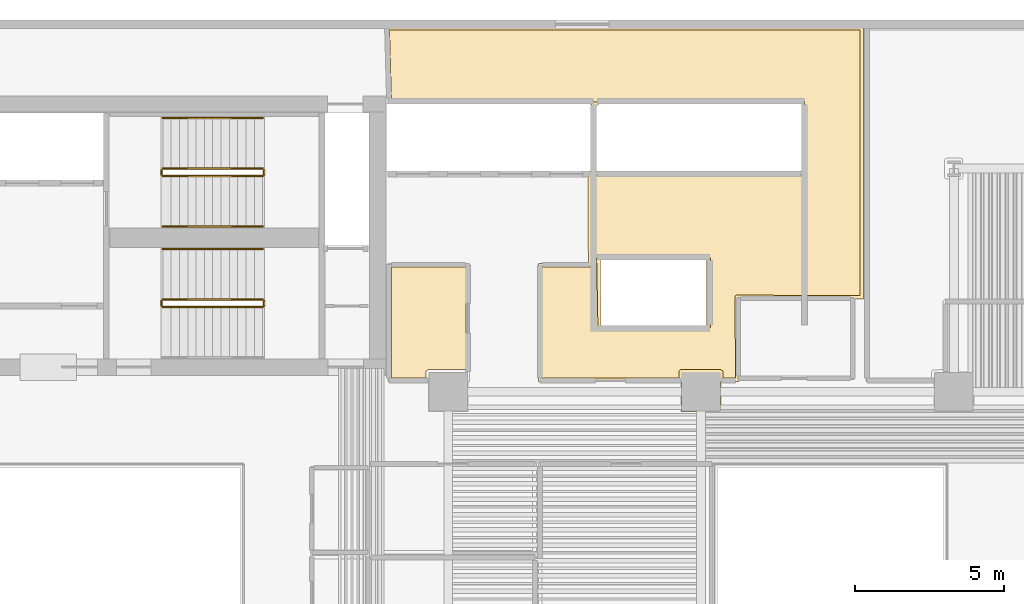
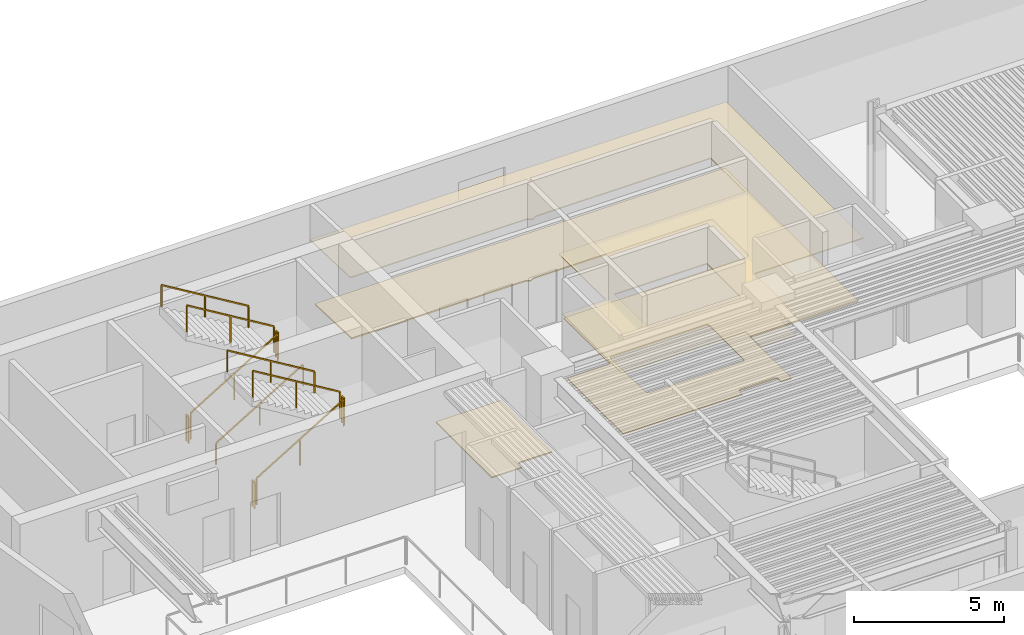
# One storey, part 11 of 12: 11 railings, 3 coverings.
"""IFC4 building model written with IfcOpenShell, lengths in metres."""

from ifc_helpers import new_model, si_unit, direction, frame, origin, origin_2d, place, context, subcontext, project, spatial, polyline, rectangle, outline, extrude, material, layer, layer_set, type_object, element, save


model = new_model("IFC4")

# Units and contexts
model_context = context("Model", 3, precision=1e-05, world=origin(), true_north=direction((0.0, 1.0)))
body_context = subcontext(model_context, "Body", "Model", "MODEL_VIEW")
ifc_project = project(units=[si_unit("LENGTHUNIT", "METRE"), si_unit("AREAUNIT", "SQUARE_METRE"), si_unit("VOLUMEUNIT", "CUBIC_METRE"), si_unit("PLANEANGLEUNIT", "RADIAN"), si_unit("MASSUNIT", "GRAM", prefix="KILO")], contexts=[model_context])

# Site, building, storey
site_placement = place(None, origin())
site = spatial("IfcSite", under=ifc_project, at=site_placement, CompositionType="ELEMENT")
building_placement = place(site_placement, origin())
building = spatial("IfcBuilding", under=site, at=building_placement, Name="Caeloran Harvest Quay", CompositionType="ELEMENT")
storey_placement = place(building_placement, frame((0.0, 0.0, 88.60009765625)))
storey = spatial("IfcBuildingStorey", under=building, at=storey_placement, Name="L20", CompositionType="ELEMENT", Elevation=88.60009765625)

# Coverings
ifc_material_1 = material(Name="Perforated Mineral-Fibre Acoustic Ceiling Tile", Category="ceiling")
ifc_layer_1 = layer(ifc_material_1, 0.0400390625, Name="Perforated Mineral-Fibre Acoustic Ceiling Tile")
ifc_layer_set_1 = layer_set([ifc_layer_1], Name="Perforated Mineral-Fibre Acoustic Ceiling Tile")
covering_type_1 = type_object("IfcCoveringType", Name="COV-CEILING-ACOUSTIC", PredefinedType="CEILING", material=ifc_layer_set_1)
covering_1_placement = place(storey_placement, frame((0.0, 0.0, 2.599853515625)))
element("IfcCovering", 1, at=covering_1_placement, inside=storey, type_object=covering_type_1, Name="Seed Library Reading Lounge 12 Acoustic Ceiling", PredefinedType="CEILING", context=body_context, shape_type="SweptSolid", body=[
    extrude(outline(polyline([(34.669921875, 30.330078125), (33.330078125, 30.330078125), (33.330078125, 31.340087890625), (28.5400390625, 31.340087890625), (28.5400390625, 35.31005859375), (30.209716796875, 35.31005859375), (30.189697265625, 38.409912109375), (37.3701171875, 38.409912109375), (37.3701171875, 40.68994140625), (30.61083984375, 40.68994140625), (30.43994140625, 40.5888671875), (30.26904296875, 40.68994140625), (23.47119140625, 40.68994140625), (23.399658203125, 43.280029296875), (39.4599609375, 43.280029296875), (39.4599609375, 34.119873046875), (35.26025390625, 34.139892578125), (35.2802734375, 31.340087890625), (34.669921875, 31.340087890625), (34.669921875, 30.330078125)]), holes=[polyline([(30.610595703125, 35.43994140625), (30.639404296875, 33.2099609375), (34.18994140625, 33.2099609375), (34.18994140625, 35.43994140625), (30.610595703125, 35.43994140625)])]), origin(), (0.0, 0.0, 1.0), 0.0400390625),
])
ifc_material_2 = material(Name="Calcium-Sulphate Raised Access Floor and Terrazzo Finish", Category="flooring")
ifc_layer_2 = layer(ifc_material_2, 0.050048828125, Name="Calcium-Sulphate Raised Access Floor and Terrazzo Finish")
ifc_layer_set_2 = layer_set([ifc_layer_2], Name="Calcium-Sulphate Raised Access Floor and Terrazzo Finish")
covering_type_2 = type_object("IfcCoveringType", Name="COV-FLOOR-RAISED", PredefinedType="FLOORING", material=ifc_layer_set_2)
covering_2_placement = place(storey_placement, origin())
element("IfcCovering", 2, at=covering_2_placement, inside=storey, type_object=covering_type_2, Name="Sensory Fermentation Kitchen 10 Raised Finish Flooring", PredefinedType="FLOORING", context=body_context, shape_type="SweptSolid", body=[
    extrude(outline(polyline([(23.590087890625, 35.18994140625), (26.090087890625, 35.18994140625), (26.090087890625, 31.7451171875), (24.8271484375, 31.74462890625), (24.75830078125, 31.688232421875), (24.7548828125, 31.4599609375), (23.590087890625, 31.4599609375), (23.590087890625, 35.18994140625)])), origin(), (0.0, 0.0, 1.0), 0.0498046875),
])
covering_3_placement = place(storey_placement, origin())
element("IfcCovering", 3, at=covering_3_placement, inside=storey, type_object=covering_type_2, Name="Seed Library Reading Lounge 12 Raised Finish Flooring", PredefinedType="FLOORING", context=body_context, shape_type="SweptSolid", body=[
    extrude(outline(polyline([(39.340087890625, 34.240478515625), (35.175537109375, 34.24658203125), (35.139892578125, 34.179443359375), (35.159423828125, 31.4599609375), (34.7451171875, 31.4599609375), (34.74169921875, 31.688232421875), (34.6650390625, 31.7451171875), (33.3193359375, 31.743408203125), (33.256591796875, 31.6806640625), (33.2548828125, 31.4599609375), (28.659912109375, 31.4599609375), (28.659912109375, 35.18994140625), (30.25, 35.18994140625), (30.32080078125, 35.232666015625), (30.310546875, 38.2900390625), (37.43310546875, 38.29345703125), (37.489990234375, 38.3701171875), (37.48388671875, 40.760498046875), (37.409912109375, 40.81005859375), (30.60009765625, 40.81005859375), (30.43994140625, 40.728271484375), (30.280029296875, 40.81005859375), (23.587890625, 40.81005859375), (23.523193359375, 43.159912109375), (39.340087890625, 43.159912109375), (39.340087890625, 34.240478515625)]), holes=[polyline([(34.31005859375, 35.47998046875), (34.28662109375, 35.53662109375), (34.22998046875, 35.56005859375), (30.525146484375, 35.54638671875), (30.489990234375, 35.47900390625), (30.53369140625, 33.125), (30.60009765625, 33.090087890625), (34.2744140625, 33.103515625), (34.31005859375, 33.169921875), (34.31005859375, 35.47998046875)])]), origin(), (0.0, 0.0, 1.0), 0.0498046875),
])

# Railings
ifc_material_3 = material(Name="Painted Steel Baluster and Top-Rail Stair Guard", Category="steel")
ifc_layer_3 = layer(ifc_material_3, 0.050048828125, Name="Painted Steel Baluster and Top-Rail Stair Guard")
ifc_layer_set_3 = layer_set([ifc_layer_3], Name="Painted Steel Baluster and Top-Rail Stair Guard")
railing_type_1 = type_object("IfcRailingType", Name="STAIR-GUARD-1100", PredefinedType="GUARDRAIL", material=ifc_layer_set_3)
railing_1_placement = place(storey_placement, frame((15.89990234375, 38.25, 0.169189453125)))
element("IfcRailing", 4, at=railing_1_placement, inside=storey, type_object=railing_type_1, Name="L20 ST-C1 stair guard 1", PredefinedType="GUARDRAIL", context=body_context, shape_type="SweptSolid", body=[
    extrude(rectangle(XDim=0.048095703125, YDim=0.048095703125, at=origin_2d()), frame((0.0, 0.0, 1.076171875), z_axis=(0.855836976705, 0.0, 0.517245656632), x_axis=(0.0, 1.0, 0.0)), (0.0, 0.0, 1.0), 3.926025390625),
    extrude(rectangle(XDim=0.0419921875, YDim=0.0419921875, at=origin_2d()), origin(), (0.0, 0.0, 1.0), 1.052001953125),
    extrude(rectangle(XDim=0.0419921875, YDim=0.0419921875, at=origin_2d()), frame((1.68017578125, 0.0, 1.015380859375)), (0.0, 0.0, 1.0), 1.052001953125),
    extrude(rectangle(XDim=0.0419921875, YDim=0.0419921875, at=origin_2d()), frame((3.360107421875, 0.0, 2.03076171875)), (0.0, 0.0, 1.0), 1.052001953125),
])
railing_2_placement = place(storey_placement, frame((19.31005859375, 38.300048828125, 2.199951171875)))
element("IfcRailing", 5, at=railing_2_placement, inside=storey, type_object=railing_type_1, Name="L20 ST-C1 stair guard 2", PredefinedType="GUARDRAIL", context=body_context, shape_type="SweptSolid", body=[
    extrude(rectangle(XDim=0.048095703125, YDim=0.048095703125, at=origin_2d()), frame((0.0, 0.0, 1.076171875), z_axis=(0.0, 1.0, 0.0), x_axis=(-1.0, 0.0, 0.0)), (0.0, 0.0, 1.0), 0.14990234375),
    extrude(rectangle(XDim=0.0419921875, YDim=0.0419921875, at=origin_2d()), origin(), (0.0, 0.0, 1.0), 1.052001953125),
    extrude(rectangle(XDim=0.0419921875, YDim=0.0419921875, at=origin_2d()), frame((0.0, 0.14990234375, 0.0)), (0.0, 0.0, 1.0), 1.052001953125),
])
railing_3_placement = place(storey_placement, frame((19.260009765625, 38.5, 2.369140625)))
element("IfcRailing", 6, at=railing_3_placement, inside=storey, type_object=railing_type_1, Name="L20 ST-C1 stair guard 3", PredefinedType="GUARDRAIL", context=body_context, shape_type="SweptSolid", body=[
    extrude(rectangle(XDim=0.048095703125, YDim=0.048095703125, at=origin_2d()), frame((0.0, 0.0, 1.076171875), z_axis=(-0.855836976705, 0.0, 0.517245656632), x_axis=(0.0, -1.0, 0.0)), (0.0, 0.0, 1.0), 3.926025390625),
    extrude(rectangle(XDim=0.0419921875, YDim=0.0419921875, at=origin_2d()), origin(), (0.0, 0.0, 1.0), 1.052001953125),
    extrude(rectangle(XDim=0.0419921875, YDim=0.0419921875, at=origin_2d()), frame((-1.68017578125, 0.0, 1.015380859375)), (0.0, 0.0, 1.0), 1.052001953125),
    extrude(rectangle(XDim=0.0419921875, YDim=0.0419921875, at=origin_2d()), frame((-3.360107421875, 0.0, 2.03076171875)), (0.0, 0.0, 1.0), 1.052001953125),
])
railing_4_placement = place(storey_placement, frame((15.85009765625, 38.300048828125, 0.0)))
element("IfcRailing", 7, at=railing_4_placement, inside=storey, type_object=railing_type_1, Name="L20 ST-C1 stair guard 4", PredefinedType="GUARDRAIL", context=body_context, shape_type="SweptSolid", body=[
    extrude(rectangle(XDim=0.048095703125, YDim=0.048095703125, at=origin_2d()), frame((0.0, 0.0, 1.076171875), z_axis=(0.0, 1.0, 0.0), x_axis=(-1.0, 0.0, 0.0)), (0.0, 0.0, 1.0), 0.14990234375),
    extrude(rectangle(XDim=0.0419921875, YDim=0.0419921875, at=origin_2d()), origin(), (0.0, 0.0, 1.0), 1.052001953125),
    extrude(rectangle(XDim=0.0419921875, YDim=0.0419921875, at=origin_2d()), frame((0.0, 0.14990234375, 0.0)), (0.0, 0.0, 1.0), 1.052001953125),
])
railing_5_placement = place(storey_placement, frame((15.89990234375, 33.85009765625, 0.169189453125)))
element("IfcRailing", 8, at=railing_5_placement, inside=storey, type_object=railing_type_1, Name="L20 ST-C2 stair guard 1", PredefinedType="GUARDRAIL", context=body_context, shape_type="SweptSolid", body=[
    extrude(rectangle(XDim=0.048095703125, YDim=0.048095703125, at=origin_2d()), frame((0.0, 0.0, 1.076171875), z_axis=(0.855836976705, 0.0, 0.517245656632), x_axis=(0.0, 1.0, 0.0)), (0.0, 0.0, 1.0), 3.926025390625),
    extrude(rectangle(XDim=0.0419921875, YDim=0.0419921875, at=origin_2d()), origin(), (0.0, 0.0, 1.0), 1.052001953125),
    extrude(rectangle(XDim=0.0419921875, YDim=0.0419921875, at=origin_2d()), frame((1.68017578125, 0.0, 1.015380859375)), (0.0, 0.0, 1.0), 1.052001953125),
    extrude(rectangle(XDim=0.0419921875, YDim=0.0419921875, at=origin_2d()), frame((3.360107421875, 0.0, 2.03076171875)), (0.0, 0.0, 1.0), 1.052001953125),
])
railing_6_placement = place(storey_placement, frame((19.31005859375, 33.89990234375, 2.199951171875)))
element("IfcRailing", 9, at=railing_6_placement, inside=storey, type_object=railing_type_1, Name="L20 ST-C2 stair guard 2", PredefinedType="GUARDRAIL", context=body_context, shape_type="SweptSolid", body=[
    extrude(rectangle(XDim=0.048095703125, YDim=0.048095703125, at=origin_2d()), frame((0.0, 0.0, 1.076171875), z_axis=(0.0, 1.0, 0.0), x_axis=(-1.0, 0.0, 0.0)), (0.0, 0.0, 1.0), 0.150146484375),
    extrude(rectangle(XDim=0.0419921875, YDim=0.0419921875, at=origin_2d()), origin(), (0.0, 0.0, 1.0), 1.052001953125),
    extrude(rectangle(XDim=0.0419921875, YDim=0.0419921875, at=origin_2d()), frame((0.0, 0.150146484375, 0.0)), (0.0, 0.0, 1.0), 1.052001953125),
])
railing_7_placement = place(storey_placement, frame((19.260009765625, 34.10009765625, 2.369140625)))
element("IfcRailing", 10, at=railing_7_placement, inside=storey, type_object=railing_type_1, Name="L20 ST-C2 stair guard 3", PredefinedType="GUARDRAIL", context=body_context, shape_type="SweptSolid", body=[
    extrude(rectangle(XDim=0.048095703125, YDim=0.048095703125, at=origin_2d()), frame((0.0, 0.0, 1.076171875), z_axis=(-0.855836976705, 0.0, 0.517245656632), x_axis=(0.0, -1.0, 0.0)), (0.0, 0.0, 1.0), 3.926025390625),
    extrude(rectangle(XDim=0.0419921875, YDim=0.0419921875, at=origin_2d()), origin(), (0.0, 0.0, 1.0), 1.052001953125),
    extrude(rectangle(XDim=0.0419921875, YDim=0.0419921875, at=origin_2d()), frame((-1.68017578125, 0.0, 1.015380859375)), (0.0, 0.0, 1.0), 1.052001953125),
    extrude(rectangle(XDim=0.0419921875, YDim=0.0419921875, at=origin_2d()), frame((-3.360107421875, 0.0, 2.03076171875)), (0.0, 0.0, 1.0), 1.052001953125),
])
railing_8_placement = place(storey_placement, frame((15.85009765625, 33.89990234375, 0.0)))
element("IfcRailing", 11, at=railing_8_placement, inside=storey, type_object=railing_type_1, Name="L20 ST-C2 stair guard 4", PredefinedType="GUARDRAIL", context=body_context, shape_type="SweptSolid", body=[
    extrude(rectangle(XDim=0.048095703125, YDim=0.048095703125, at=origin_2d()), frame((0.0, 0.0, 1.076171875), z_axis=(0.0, 1.0, 0.0), x_axis=(-1.0, 0.0, 0.0)), (0.0, 0.0, 1.0), 0.150146484375),
    extrude(rectangle(XDim=0.0419921875, YDim=0.0419921875, at=origin_2d()), origin(), (0.0, 0.0, 1.0), 1.052001953125),
    extrude(rectangle(XDim=0.0419921875, YDim=0.0419921875, at=origin_2d()), frame((0.0, 0.150146484375, 0.0)), (0.0, 0.0, 1.0), 1.052001953125),
])
ifc_material_4 = material(Name="Brushed Stainless Steel Grade 304", Category="steel")
ifc_layer_4 = layer(ifc_material_4, 0.050048828125, Name="Brushed Stainless Steel Grade 304")
ifc_layer_set_4 = layer_set([ifc_layer_4], Name="Brushed Stainless Steel Grade 304")
railing_type_2 = type_object("IfcRailingType", Name="STAIR-HANDRAIL-900", PredefinedType="HANDRAIL", material=ifc_layer_set_4)
railing_9_placement = place(storey_placement, frame((15.89990234375, 36.550048828125, 0.169189453125)))
element("IfcRailing", 12, at=railing_9_placement, inside=storey, type_object=railing_type_2, Name="L20 ST-C1 stair handrail 1", PredefinedType="HANDRAIL", context=body_context, shape_type="SweptSolid", body=[
    extrude(rectangle(XDim=0.048095703125, YDim=0.048095703125, at=origin_2d()), frame((0.0, 0.0, 0.8759765625), z_axis=(0.855836976705, 0.0, 0.517245656632), x_axis=(0.0, 1.0, 0.0)), (0.0, 0.0, 1.0), 3.926025390625),
    extrude(rectangle(XDim=0.0419921875, YDim=0.0419921875, at=origin_2d()), origin(), (0.0, 0.0, 1.0), 0.851806640625),
    extrude(rectangle(XDim=0.0419921875, YDim=0.0419921875, at=origin_2d()), frame((1.68017578125, 0.0, 1.015380859375)), (0.0, 0.0, 1.0), 0.851806640625),
    extrude(rectangle(XDim=0.0419921875, YDim=0.0419921875, at=origin_2d()), frame((3.360107421875, 0.0, 2.03076171875)), (0.0, 0.0, 1.0), 0.851806640625),
])
for number, where, name in (
    (13, (19.260009765625, 40.199951171875, 2.369140625), "L20 ST-C1 stair handrail 2"),
    (14, (19.260009765625, 35.800048828125, 2.369140625), "L20 ST-C2 stair handrail 2"),
):
    element("IfcRailing", number, at=place(storey_placement, frame(where)), inside=storey, type_object=railing_type_2, Name=name, PredefinedType="HANDRAIL", context=body_context, shape_type="SweptSolid", body=[
        extrude(rectangle(XDim=0.048095703125, YDim=0.048095703125, at=origin_2d()), frame((0.0, 0.0, 0.8759765625), z_axis=(-0.855836976705, 0.0, 0.517245656632), x_axis=(0.0, -1.0, 0.0)), (0.0, 0.0, 1.0), 3.926025390625),
        extrude(rectangle(XDim=0.0419921875, YDim=0.0419921875, at=origin_2d()), origin(), (0.0, 0.0, 1.0), 0.851806640625),
        extrude(rectangle(XDim=0.0419921875, YDim=0.0419921875, at=origin_2d()), frame((-1.68017578125, 0.0, 1.015380859375)), (0.0, 0.0, 1.0), 0.851806640625),
        extrude(rectangle(XDim=0.0419921875, YDim=0.0419921875, at=origin_2d()), frame((-3.360107421875, 0.0, 2.03076171875)), (0.0, 0.0, 1.0), 0.851806640625),
    ])

save(model, "model.ifc")
